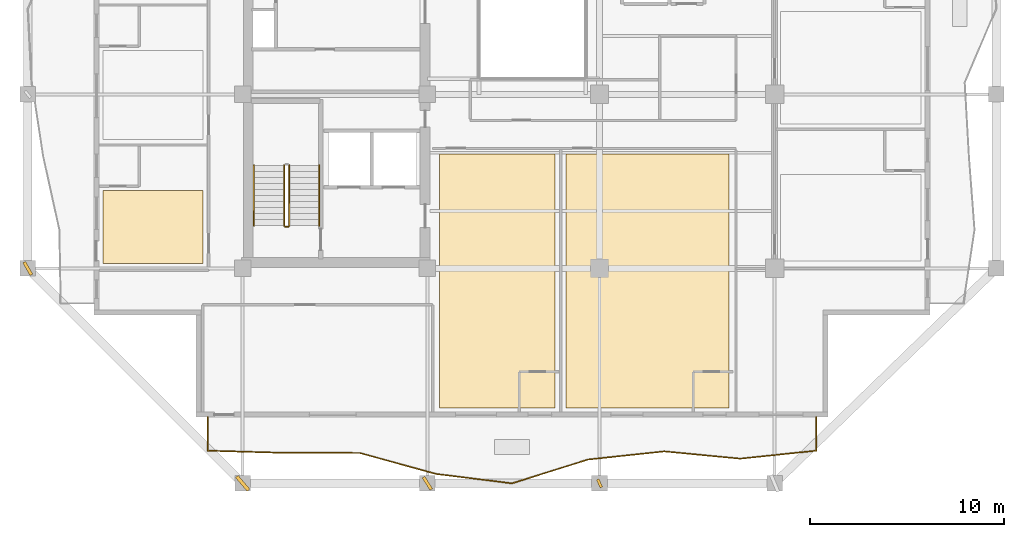
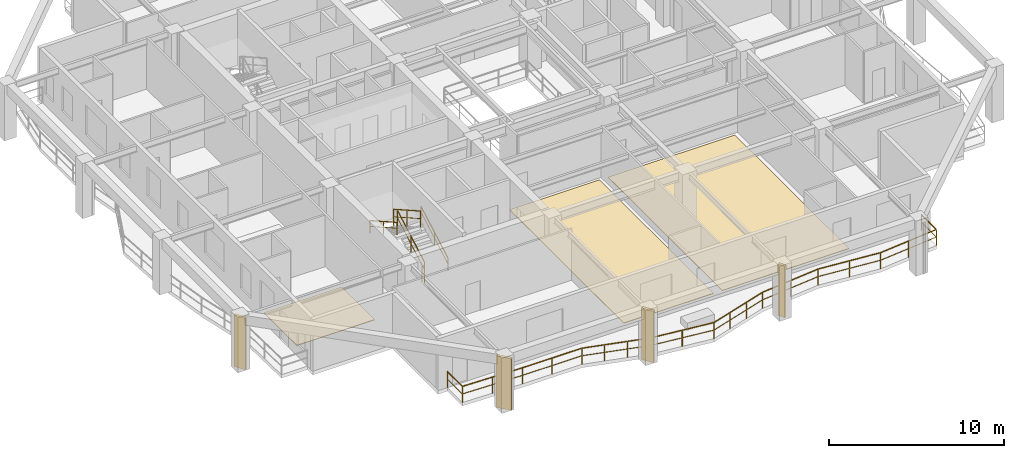
# One storey, part 8 of 13: 6 railings, 4 shading devices, 3 coverings.
"""IFC4 building model written with IfcOpenShell, lengths in metres."""

from ifc_helpers import new_model, si_unit, direction, frame, origin, origin_2d, place, context, subcontext, project, spatial, polyline, rectangle, outline, extrude, material, layer, layer_set, type_object, element, save


model = new_model("IFC4")

# Units and contexts
model_context = context("Model", 3, precision=1e-05, world=origin(), true_north=direction((0.0, 1.0)))
body_context = subcontext(model_context, "Body", "Model", "MODEL_VIEW")
ifc_project = project(units=[si_unit("LENGTHUNIT", "METRE"), si_unit("AREAUNIT", "SQUARE_METRE"), si_unit("VOLUMEUNIT", "CUBIC_METRE"), si_unit("PLANEANGLEUNIT", "RADIAN"), si_unit("MASSUNIT", "GRAM", prefix="KILO")], contexts=[model_context])

# Site, building, storey
site_placement = place(None, origin())
site = spatial("IfcSite", under=ifc_project, at=site_placement, CompositionType="ELEMENT")
building_placement = place(site_placement, origin())
building = spatial("IfcBuilding", under=site, at=building_placement, Name="Kundavana Baori Tower", CompositionType="ELEMENT")
storey_placement = place(building_placement, frame((0.0, 0.0, 161.75)))
storey = spatial("IfcBuildingStorey", under=building, at=storey_placement, Name="L39", CompositionType="ELEMENT", Elevation=161.75)

# Coverings
ifc_material_1 = material(Name="Honed Kota Stone and Terrazzo Flooring", Category="masonry")
ifc_layer = layer(ifc_material_1, 0.0400390625, Name="COV-FLR-TERR-40")
ifc_layer_set = layer_set([ifc_layer], Name="Honed Kota Stone and Terrazzo Flooring")
covering_type = type_object("IfcCoveringType", Name="COV-FLR-TERR-40", PredefinedType="FLOORING", material=ifc_layer_set)
covering_1_placement = place(storey_placement, origin())
element("IfcCovering", 1, at=covering_1_placement, inside=storey, type_object=covering_type, Name="L39 Room Finished Stone Flooring 1", PredefinedType="FLOORING", context=body_context, shape_type="SweptSolid", body=[
    extrude(outline(polyline([(8.280029296875, 15.5), (13.419921875, 15.5), (13.419921875, 19.27001953125), (8.280029296875, 19.27001953125), (8.280029296875, 15.5)])), origin(), (0.0, 0.0, 1.0), 0.0400390625),
])
covering_2_placement = place(storey_placement, origin())
element("IfcCovering", 2, at=covering_2_placement, inside=storey, type_object=covering_type, Name="L39 Room Finished Stone Flooring 5", PredefinedType="FLOORING", context=body_context, shape_type="SweptSolid", body=[
    extrude(outline(polyline([(25.580078125, 8.080078125), (31.52001953125, 8.080078125), (31.52001953125, 21.139892578125), (25.580078125, 21.139892578125), (25.580078125, 8.080078125)])), origin(), (0.0, 0.0, 1.0), 0.0400390625),
])
covering_3_placement = place(storey_placement, origin())
element("IfcCovering", 3, at=covering_3_placement, inside=storey, type_object=covering_type, Name="L39 Room Finished Stone Flooring 6", PredefinedType="FLOORING", context=body_context, shape_type="SweptSolid", body=[
    extrude(outline(polyline([(32.080078125, 8.080078125), (40.4599609375, 8.080078125), (40.4599609375, 21.139892578125), (32.080078125, 21.139892578125), (32.080078125, 8.080078125)])), origin(), (0.0, 0.0, 1.0), 0.0400390625),
])

# Railings
ifc_material_2 = material(Name="Architectural Patinated Bronze Metalwork")
railing_type_1 = type_object("IfcRailingType", Name="RL-BAL-1150", PredefinedType="BALUSTRADE", material=ifc_material_2)
railing_1_placement = place(storey_placement, frame((44.949951171875, 7.60009765625, 0.0)))
element("IfcRailing", 4, at=railing_1_placement, inside=storey, type_object=railing_type_1, Name="L39 Loggia Balcony Balustrade S", PredefinedType="BALUSTRADE", context=body_context, shape_type="SweptSolid", body=[
    extrude(rectangle(XDim=0.048095703125, YDim=0.048095703125, at=origin_2d()), frame((0.0, 0.0, 1.1259765625), z_axis=(0.0, -1.0, 0.0), x_axis=(1.0, 0.0, 0.0)), (0.0, 0.0, 1.0), 1.72021484375),
    extrude(rectangle(XDim=0.03125, YDim=0.03125, at=origin_2d()), frame((0.0, 0.0, 0.597900390625), z_axis=(0.0, -1.0, 0.0), x_axis=(1.0, 0.0, 0.0)), (0.0, 0.0, 1.0), 1.72021484375),
    extrude(rectangle(XDim=0.048095703125, YDim=0.048095703125, at=origin_2d()), frame((0.0, -1.72021484375, 1.1259765625), z_axis=(-0.994528895054, -0.104461844247, 0.0), x_axis=(0.104461844247, -0.994528895054, 0.0)), (0.0, 0.0, 1.0), 3.933349609375),
    extrude(rectangle(XDim=0.03125, YDim=0.03125, at=origin_2d()), frame((0.0, -1.72021484375, 0.597900390625), z_axis=(-0.994528895054, -0.104461844247, 0.0), x_axis=(0.104461844247, -0.994528895054, 0.0)), (0.0, 0.0, 1.0), 3.933349609375),
    extrude(rectangle(XDim=0.048095703125, YDim=0.048095703125, at=origin_2d()), frame((-3.911865234375, -2.131103515625, 1.1259765625), z_axis=(-0.995463034765, 0.095149074698, 0.0), x_axis=(-0.095149074698, -0.995463034765, 0.0)), (0.0, 0.0, 1.0), 3.930908203125),
    extrude(rectangle(XDim=0.03125, YDim=0.03125, at=origin_2d()), frame((-3.911865234375, -2.131103515625, 0.597900390625), z_axis=(-0.995463034765, 0.095149074698, 0.0), x_axis=(-0.095149074698, -0.995463034765, 0.0)), (0.0, 0.0, 1.0), 3.930908203125),
    extrude(rectangle(XDim=0.048095703125, YDim=0.048095703125, at=origin_2d()), frame((-7.824951171875, -1.757080078125, 1.1259765625), z_axis=(-0.994341035776, -0.106235138121, 0.0), x_axis=(0.106235138121, -0.994341035776, 0.0)), (0.0, 0.0, 1.0), 3.934326171875),
    extrude(rectangle(XDim=0.03125, YDim=0.03125, at=origin_2d()), frame((-7.824951171875, -1.757080078125, 0.597900390625), z_axis=(-0.994341035776, -0.106235138121, 0.0), x_axis=(0.106235138121, -0.994341035776, 0.0)), (0.0, 0.0, 1.0), 3.934326171875),
    extrude(rectangle(XDim=0.048095703125, YDim=0.048095703125, at=origin_2d()), frame((-11.737060546875, -2.175048828125, 1.1259765625), z_axis=(-0.954317732276, -0.298793684443, 0.0), x_axis=(0.298793684443, -0.954317732276, 0.0)), (0.0, 0.0, 1.0), 4.10009765625),
    extrude(rectangle(XDim=0.03125, YDim=0.03125, at=origin_2d()), frame((-11.737060546875, -2.175048828125, 0.597900390625), z_axis=(-0.954317732276, -0.298793684443, 0.0), x_axis=(0.298793684443, -0.954317732276, 0.0)), (0.0, 0.0, 1.0), 4.10009765625),
    extrude(rectangle(XDim=0.048095703125, YDim=0.048095703125, at=origin_2d()), frame((-15.64990234375, -3.400146484375, 1.1259765625), z_axis=(-0.992399355567, 0.12305900646, 0.0), x_axis=(-0.12305900646, -0.992399355567, 0.0)), (0.0, 0.0, 1.0), 3.942138671875),
    extrude(rectangle(XDim=0.03125, YDim=0.03125, at=origin_2d()), frame((-15.64990234375, -3.400146484375, 0.597900390625), z_axis=(-0.992399355567, 0.12305900646, 0.0), x_axis=(-0.12305900646, -0.992399355567, 0.0)), (0.0, 0.0, 1.0), 3.942138671875),
    extrude(rectangle(XDim=0.048095703125, YDim=0.048095703125, at=origin_2d()), frame((-19.56201171875, -2.9150390625, 1.1259765625), z_axis=(-0.964150387558, 0.26535642101, 0.0), x_axis=(-0.26535642101, -0.964150387558, 0.0)), (0.0, 0.0, 1.0), 4.058349609375),
    extrude(rectangle(XDim=0.03125, YDim=0.03125, at=origin_2d()), frame((-19.56201171875, -2.9150390625, 0.597900390625), z_axis=(-0.964150387558, 0.26535642101, 0.0), x_axis=(-0.26535642101, -0.964150387558, 0.0)), (0.0, 0.0, 1.0), 4.058349609375),
    extrude(rectangle(XDim=0.048095703125, YDim=0.048095703125, at=origin_2d()), frame((-23.474853515625, -1.838134765625, 1.1259765625), z_axis=(-0.99999836316, 0.001809330704, 0.0), x_axis=(-0.001809330704, -0.99999836316, 0.0)), (0.0, 0.0, 1.0), 3.9130859375),
    extrude(rectangle(XDim=0.03125, YDim=0.03125, at=origin_2d()), frame((-23.474853515625, -1.838134765625, 0.597900390625), z_axis=(-0.99999836316, 0.001809330704, 0.0), x_axis=(-0.001809330704, -0.99999836316, 0.0)), (0.0, 0.0, 1.0), 3.9130859375),
    extrude(rectangle(XDim=0.048095703125, YDim=0.048095703125, at=origin_2d()), frame((-27.387939453125, -1.8310546875, 1.1259765625), z_axis=(-0.999598876166, 0.028321136407, 0.0), x_axis=(-0.028321136407, -0.999598876166, 0.0)), (0.0, 0.0, 1.0), 3.91357421875),
    extrude(rectangle(XDim=0.03125, YDim=0.03125, at=origin_2d()), frame((-27.387939453125, -1.8310546875, 0.597900390625), z_axis=(-0.999598876166, 0.028321136407, 0.0), x_axis=(-0.028321136407, -0.999598876166, 0.0)), (0.0, 0.0, 1.0), 3.91357421875),
    extrude(rectangle(XDim=0.048095703125, YDim=0.048095703125, at=origin_2d()), frame((-31.300048828125, -1.72021484375, 1.1259765625), z_axis=(0.0, 1.0, 0.0), x_axis=(-1.0, 0.0, 0.0)), (0.0, 0.0, 1.0), 1.72021484375),
    extrude(rectangle(XDim=0.03125, YDim=0.03125, at=origin_2d()), frame((-31.300048828125, -1.72021484375, 0.597900390625), z_axis=(0.0, 1.0, 0.0), x_axis=(-1.0, 0.0, 0.0)), (0.0, 0.0, 1.0), 1.72021484375),
    extrude(rectangle(XDim=0.0419921875, YDim=0.0419921875, at=origin_2d()), origin(), (0.0, 0.0, 1.0), 1.101806640625),
    extrude(rectangle(XDim=0.0419921875, YDim=0.0419921875, at=origin_2d()), frame((0.0, -1.72021484375, 0.0)), (0.0, 0.0, 1.0), 1.101806640625),
    extrude(rectangle(XDim=0.0419921875, YDim=0.0419921875, at=origin_2d()), frame((-1.9560546875, -1.92578125, 0.0)), (0.0, 0.0, 1.0), 1.101806640625),
    extrude(rectangle(XDim=0.0419921875, YDim=0.0419921875, at=origin_2d()), frame((-3.911865234375, -2.131103515625, 0.0)), (0.0, 0.0, 1.0), 1.101806640625),
    extrude(rectangle(XDim=0.0419921875, YDim=0.0419921875, at=origin_2d()), frame((-5.868408203125, -1.944091796875, 0.0)), (0.0, 0.0, 1.0), 1.101806640625),
    extrude(rectangle(XDim=0.0419921875, YDim=0.0419921875, at=origin_2d()), frame((-7.824951171875, -1.757080078125, 0.0)), (0.0, 0.0, 1.0), 1.101806640625),
    extrude(rectangle(XDim=0.0419921875, YDim=0.0419921875, at=origin_2d()), frame((-9.781005859375, -1.966064453125, 0.0)), (0.0, 0.0, 1.0), 1.101806640625),
    extrude(rectangle(XDim=0.0419921875, YDim=0.0419921875, at=origin_2d()), frame((-11.737060546875, -2.175048828125, 0.0)), (0.0, 0.0, 1.0), 1.101806640625),
    extrude(rectangle(XDim=0.0419921875, YDim=0.0419921875, at=origin_2d()), frame((-13.041259765625, -2.58349609375, 0.0)), (0.0, 0.0, 1.0), 1.101806640625),
    extrude(rectangle(XDim=0.0419921875, YDim=0.0419921875, at=origin_2d()), frame((-14.345703125, -2.99169921875, 0.0)), (0.0, 0.0, 1.0), 1.101806640625),
    extrude(rectangle(XDim=0.0419921875, YDim=0.0419921875, at=origin_2d()), frame((-15.64990234375, -3.400146484375, 0.0)), (0.0, 0.0, 1.0), 1.101806640625),
    extrude(rectangle(XDim=0.0419921875, YDim=0.0419921875, at=origin_2d()), frame((-17.60595703125, -3.15771484375, 0.0)), (0.0, 0.0, 1.0), 1.101806640625),
    extrude(rectangle(XDim=0.0419921875, YDim=0.0419921875, at=origin_2d()), frame((-19.56201171875, -2.9150390625, 0.0)), (0.0, 0.0, 1.0), 1.101806640625),
    extrude(rectangle(XDim=0.0419921875, YDim=0.0419921875, at=origin_2d()), frame((-20.8662109375, -2.55615234375, 0.0)), (0.0, 0.0, 1.0), 1.101806640625),
    extrude(rectangle(XDim=0.0419921875, YDim=0.0419921875, at=origin_2d()), frame((-22.170654296875, -2.197021484375, 0.0)), (0.0, 0.0, 1.0), 1.101806640625),
    extrude(rectangle(XDim=0.0419921875, YDim=0.0419921875, at=origin_2d()), frame((-23.474853515625, -1.838134765625, 0.0)), (0.0, 0.0, 1.0), 1.101806640625),
    extrude(rectangle(XDim=0.0419921875, YDim=0.0419921875, at=origin_2d()), frame((-25.431396484375, -1.83447265625, 0.0)), (0.0, 0.0, 1.0), 1.101806640625),
    extrude(rectangle(XDim=0.0419921875, YDim=0.0419921875, at=origin_2d()), frame((-27.387939453125, -1.8310546875, 0.0)), (0.0, 0.0, 1.0), 1.101806640625),
    extrude(rectangle(XDim=0.0419921875, YDim=0.0419921875, at=origin_2d()), frame((-29.343994140625, -1.775634765625, 0.0)), (0.0, 0.0, 1.0), 1.101806640625),
    extrude(rectangle(XDim=0.0419921875, YDim=0.0419921875, at=origin_2d()), frame((-31.300048828125, -1.72021484375, 0.0)), (0.0, 0.0, 1.0), 1.101806640625),
    extrude(rectangle(XDim=0.0419921875, YDim=0.0419921875, at=origin_2d()), frame((-31.300048828125, 0.0, 0.0)), (0.0, 0.0, 1.0), 1.101806640625),
])
ifc_material_3 = material(Name="Architectural Patinated Bronze Metalwork")
railing_type_2 = type_object("IfcRailingType", Name="RL-GRD-1150", PredefinedType="GUARDRAIL", material=ifc_material_3)
railing_2_placement = place(storey_placement, frame((17.840087890625, 17.449951171875, 0.175048828125)))
element("IfcRailing", 5, at=railing_2_placement, inside=storey, type_object=railing_type_2, Name="L39 ST1 stair guard 1", PredefinedType="GUARDRAIL", context=body_context, shape_type="SweptSolid", body=[
    extrude(rectangle(XDim=0.048095703125, YDim=0.048095703125, at=origin_2d()), frame((0.0, 0.0, 1.1259765625), z_axis=(0.0, 0.870830938388, 0.491582624537), x_axis=(-1.0, 0.0, 0.0)), (0.0, 0.0, 1.0), 3.559814453125),
    extrude(rectangle(XDim=0.03125, YDim=0.03125, at=origin_2d()), frame((0.0, 0.0, 0.597900390625), z_axis=(0.0, 0.870830938388, 0.491582624537), x_axis=(-1.0, 0.0, 0.0)), (0.0, 0.0, 1.0), 3.559814453125),
    extrude(rectangle(XDim=0.0419921875, YDim=0.0419921875, at=origin_2d()), origin(), (0.0, 0.0, 1.0), 1.101806640625),
    extrude(rectangle(XDim=0.0419921875, YDim=0.0419921875, at=origin_2d()), frame((0.0, 1.550048828125, 0.875)), (0.0, 0.0, 1.0), 1.101806640625),
    extrude(rectangle(XDim=0.0419921875, YDim=0.0419921875, at=origin_2d()), frame((0.0, 3.10009765625, 1.75)), (0.0, 0.0, 1.0), 1.101806640625),
])
railing_3_placement = place(storey_placement, frame((17.580078125, 20.550048828125, 2.10009765625)))
element("IfcRailing", 6, at=railing_3_placement, inside=storey, type_object=railing_type_2, Name="L39 ST1 stair guard 3", PredefinedType="GUARDRAIL", context=body_context, shape_type="SweptSolid", body=[
    extrude(rectangle(XDim=0.048095703125, YDim=0.048095703125, at=origin_2d()), frame((0.0, 0.0, 1.1259765625), z_axis=(0.0, -0.870830938388, 0.491582624537), x_axis=(1.0, 0.0, 0.0)), (0.0, 0.0, 1.0), 3.559814453125),
    extrude(rectangle(XDim=0.03125, YDim=0.03125, at=origin_2d()), frame((0.0, 0.0, 0.597900390625), z_axis=(0.0, -0.870830938388, 0.491582624537), x_axis=(1.0, 0.0, 0.0)), (0.0, 0.0, 1.0), 3.559814453125),
    extrude(rectangle(XDim=0.0419921875, YDim=0.0419921875, at=origin_2d()), origin(), (0.0, 0.0, 1.0), 1.101806640625),
    extrude(rectangle(XDim=0.0419921875, YDim=0.0419921875, at=origin_2d()), frame((0.0, -1.550048828125, 0.875)), (0.0, 0.0, 1.0), 1.101806640625),
    extrude(rectangle(XDim=0.0419921875, YDim=0.0419921875, at=origin_2d()), frame((0.0, -3.10009765625, 1.75)), (0.0, 0.0, 1.0), 1.101806640625),
])
railing_4_placement = place(storey_placement, frame((17.7900390625, 17.39990234375, 0.0)))
element("IfcRailing", 7, at=railing_4_placement, inside=storey, type_object=railing_type_2, Name="L39 ST1 stair guard 4", PredefinedType="GUARDRAIL", context=body_context, shape_type="SweptSolid", body=[
    extrude(rectangle(XDim=0.048095703125, YDim=0.048095703125, at=origin_2d()), frame((0.0, 0.0, 1.1259765625), z_axis=(-1.0, 0.0, 0.0), x_axis=(0.0, -1.0, 0.0)), (0.0, 0.0, 1.0), 0.16015625),
    extrude(rectangle(XDim=0.03125, YDim=0.03125, at=origin_2d()), frame((0.0, 0.0, 0.597900390625), z_axis=(-1.0, 0.0, 0.0), x_axis=(0.0, -1.0, 0.0)), (0.0, 0.0, 1.0), 0.16015625),
    extrude(rectangle(XDim=0.0419921875, YDim=0.0419921875, at=origin_2d()), origin(), (0.0, 0.0, 1.0), 1.101806640625),
    extrude(rectangle(XDim=0.0419921875, YDim=0.0419921875, at=origin_2d()), frame((-0.16015625, 0.0, 0.0)), (0.0, 0.0, 1.0), 1.101806640625),
])
ifc_material_4 = material(Name="Architectural Patinated Bronze Metalwork")
railing_type_3 = type_object("IfcRailingType", Name="RL-HND-920", PredefinedType="HANDRAIL", material=ifc_material_4)
railing_5_placement = place(storey_placement, frame((19.389892578125, 17.449951171875, 0.175048828125)))
element("IfcRailing", 8, at=railing_5_placement, inside=storey, type_object=railing_type_3, Name="L39 ST1 stair handrail 1", PredefinedType="HANDRAIL", context=body_context, shape_type="SweptSolid", body=[
    extrude(rectangle(XDim=0.048095703125, YDim=0.048095703125, at=origin_2d()), frame((0.0, 0.0, 0.8759765625), z_axis=(0.0, 0.870830938388, 0.491582624537), x_axis=(-1.0, 0.0, 0.0)), (0.0, 0.0, 1.0), 3.559814453125),
    extrude(rectangle(XDim=0.03125, YDim=0.03125, at=origin_2d()), frame((0.0, 0.0, 0.468017578125), z_axis=(0.0, 0.870830938388, 0.491582624537), x_axis=(-1.0, 0.0, 0.0)), (0.0, 0.0, 1.0), 3.559814453125),
    extrude(rectangle(XDim=0.0419921875, YDim=0.0419921875, at=origin_2d()), origin(), (0.0, 0.0, 1.0), 0.851806640625),
    extrude(rectangle(XDim=0.0419921875, YDim=0.0419921875, at=origin_2d()), frame((0.0, 1.550048828125, 0.875)), (0.0, 0.0, 1.0), 0.851806640625),
    extrude(rectangle(XDim=0.0419921875, YDim=0.0419921875, at=origin_2d()), frame((0.0, 3.10009765625, 1.75)), (0.0, 0.0, 1.0), 0.851806640625),
])
railing_6_placement = place(storey_placement, frame((16.030029296875, 20.550048828125, 2.10009765625)))
element("IfcRailing", 9, at=railing_6_placement, inside=storey, type_object=railing_type_3, Name="L39 ST1 stair handrail 2", PredefinedType="HANDRAIL", context=body_context, shape_type="SweptSolid", body=[
    extrude(rectangle(XDim=0.048095703125, YDim=0.048095703125, at=origin_2d()), frame((0.0, 0.0, 0.8759765625), z_axis=(0.0, -0.870830938388, 0.491582624537), x_axis=(1.0, 0.0, 0.0)), (0.0, 0.0, 1.0), 3.559814453125),
    extrude(rectangle(XDim=0.03125, YDim=0.03125, at=origin_2d()), frame((0.0, 0.0, 0.468017578125), z_axis=(0.0, -0.870830938388, 0.491582624537), x_axis=(1.0, 0.0, 0.0)), (0.0, 0.0, 1.0), 3.559814453125),
    extrude(rectangle(XDim=0.0419921875, YDim=0.0419921875, at=origin_2d()), origin(), (0.0, 0.0, 1.0), 0.851806640625),
    extrude(rectangle(XDim=0.0419921875, YDim=0.0419921875, at=origin_2d()), frame((0.0, -1.550048828125, 0.875)), (0.0, 0.0, 1.0), 0.851806640625),
    extrude(rectangle(XDim=0.0419921875, YDim=0.0419921875, at=origin_2d()), frame((0.0, -3.10009765625, 1.75)), (0.0, 0.0, 1.0), 0.851806640625),
])

# Shading devices
ifc_material_5 = material(Name="Red-Buff Dholpur Sandstone Cladding on Concrete C40/50", Category="masonry")
shading_device_type_1 = type_object("IfcShadingDeviceType", Name="SHD-FIN-750", PredefinedType="JALOUSIE", material=ifc_material_5)
for number, where, z_axis, x_axis, name in (
    (10, (24.949951171875, 4.199951171875, 0.0), (0.0, 0.0, 1.0), (0.84264041216, 0.538476680827, 0.0), "L39 Sweeping Dholpur Sandstone Facade Fin 2"),
    (11, (4.39990234375, 15.25, 0.0), (0.0, 0.0, 1.0), (0.865850818101, 0.500302269426, 0.0), "L39 Sweeping Dholpur Sandstone Facade Fin 5"),
):
    element("IfcShadingDevice", number, at=place(storey_placement, frame(where, z_axis=z_axis, x_axis=x_axis)), inside=storey, type_object=shading_device_type_1, Name=name, PredefinedType="JALOUSIE", context=body_context, shape_type="SweptSolid", body=[
        extrude(rectangle(XDim=0.159912109375, YDim=0.75, at=origin_2d()), origin(), (0.0, 0.0, 1.0), 3.60009765625),
    ])
ifc_material_6 = material(Name="Red-Buff Dholpur Sandstone Cladding on Concrete C40/50", Category="masonry")
shading_device_type_2 = type_object("IfcShadingDeviceType", Name="SHD-FIN-920", PredefinedType="JALOUSIE", material=ifc_material_6)
shading_device_1_placement = place(storey_placement, frame((15.449951171875, 4.199951171875, 0.0), z_axis=(0.0, 0.0, 1.0), x_axis=(0.758020512009, 0.652230713301, 0.0)))
element("IfcShadingDevice", 12, at=shading_device_1_placement, inside=storey, type_object=shading_device_type_2, Name="L39 Sweeping Dholpur Sandstone Facade Fin 1", PredefinedType="JALOUSIE", context=body_context, shape_type="SweptSolid", body=[
    extrude(rectangle(XDim=0.179931640625, YDim=0.919921875, at=origin_2d()), origin(), (0.0, 0.0, 1.0), 3.60009765625),
])
ifc_material_7 = material(Name="Architectural Patinated Bronze Metalwork")
shading_device_type_3 = type_object("IfcShadingDeviceType", Name="SHD-LOUV-450", PredefinedType="SHUTTER", material=ifc_material_7)
shading_device_2_placement = place(storey_placement, frame((33.800048828125, 4.199951171875, 0.0), z_axis=(0.0, 0.0, 1.0), x_axis=(0.914183230763, 0.405301148026, 0.0)))
element("IfcShadingDevice", 13, at=shading_device_2_placement, inside=storey, type_object=shading_device_type_3, Name="L39 Sweeping Dholpur Sandstone Facade Fin 3", PredefinedType="SHUTTER", context=body_context, shape_type="SweptSolid", body=[
    extrude(rectangle(XDim=0.139892578125, YDim=0.449951171875, at=origin_2d()), origin(), (0.0, 0.0, 1.0), 3.60009765625),
])

save(model, "model.ifc")
